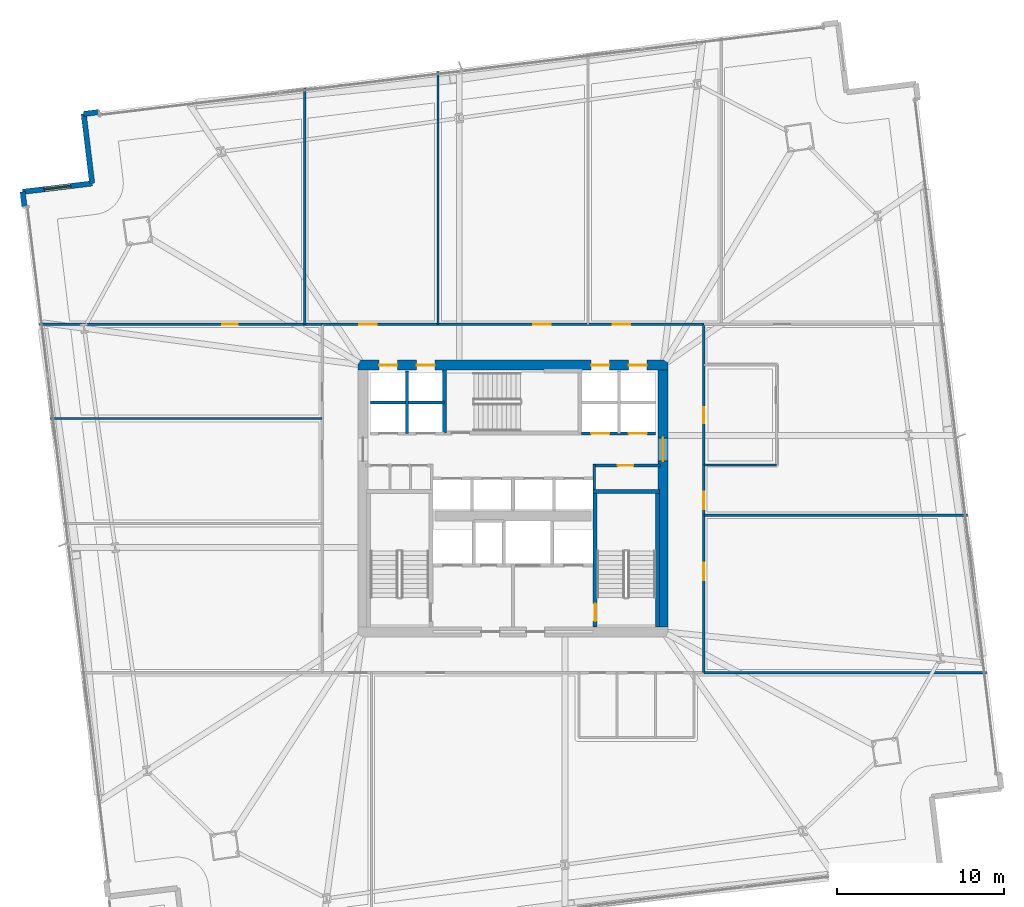
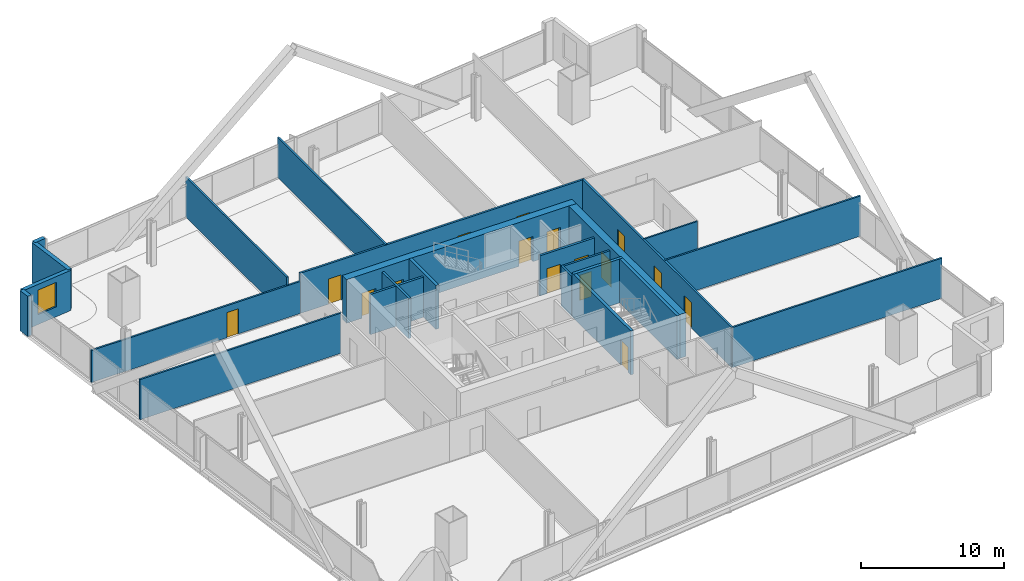
# One storey, part 27 of 33: 24 walls, 16 doors, 1 window, 17 openings.
"""IFC4 building model written with IfcOpenShell, lengths in metres."""

from ifc_helpers import new_model, si_unit, direction, frame, frame_2d, origin, place, context, subcontext, project, spatial, rectangle, extrude, material, layer, layer_set, type_object, element, fill, save


model = new_model("IFC4")

# Units and contexts
model_context = context("Model", 3, precision=1e-05, world=origin(), true_north=direction((0.0, 1.0)))
body_context = subcontext(model_context, "Body", "Model", "MODEL_VIEW")
ifc_project = project(units=[si_unit("LENGTHUNIT", "METRE"), si_unit("AREAUNIT", "SQUARE_METRE"), si_unit("VOLUMEUNIT", "CUBIC_METRE"), si_unit("PLANEANGLEUNIT", "RADIAN"), si_unit("MASSUNIT", "GRAM", prefix="KILO")], contexts=[model_context])

# Site, building, storey
site_placement = place(None, origin())
site = spatial("IfcSite", under=ifc_project, at=site_placement, CompositionType="ELEMENT")
building_placement = place(site_placement, origin())
building = spatial("IfcBuilding", under=site, at=building_placement, Name="Haldenkirk Collegiate Tower", CompositionType="ELEMENT")
storey_placement = place(building_placement, frame((0.0, 0.0, 51.449951171875)))
storey = spatial("IfcBuildingStorey", under=building, at=storey_placement, Name="L11", CompositionType="ELEMENT", Elevation=51.449951171875)

# Wall, openings, doors
ifc_material_1 = material(Name="Concrete f'c 70 MPa", Category="concrete")
ifc_layer_1 = layer(ifc_material_1, 0.60009765625)
ifc_layer_set_1 = layer_set([ifc_layer_1], Name="Concrete f'c 70 MPa")
wall_type_1 = type_object("IfcWallType", Name="WL-CORE-600", PredefinedType="SHEAR", material=ifc_layer_set_1)
wall_1_placement = place(storey_placement, frame((26.699951171875, 34.0, 0.0), z_axis=(0.0, 0.0, 1.0), x_axis=(1.0, 0.0, 0.0)))
wall_1 = element("IfcWall", 1, at=wall_1_placement, inside=storey, type_object=wall_type_1, Name="L11 central core shear wall N", PredefinedType="SHEAR", context=body_context, shape_type="SweptSolid", body=[
    extrude(rectangle(XDim=18.60009765625, YDim=0.60009765625, at=frame_2d((9.300048828125, 0.0))), origin(), (0.0, 0.0, 1.0), 3.75),
])
opening_1_placement = place(wall_1_placement, frame((1.264892578125, 0.0, 0.0)))
opening_1 = element("IfcOpeningElement", 2, at=opening_1_placement, cuts=wall_1, Name="Opening LD-11", PredefinedType="OPENING", context=body_context, shape_type="SweptSolid", body=[
    extrude(rectangle(XDim=1.10009765625, YDim=2.14990234375, at=frame_2d((0.550048828125, 1.074951171875))), frame((0.0, 0.31005859375, 0.0), z_axis=(0.0, -1.0, 0.0), x_axis=(1.0, 0.0, 0.0)), (0.0, 0.0, 1.0), 0.6201171875),
])
opening_2_placement = place(wall_1_placement, frame((3.514892578125, 0.0, 0.0)))
opening_2 = element("IfcOpeningElement", 3, at=opening_2_placement, cuts=wall_1, Name="Opening LD-11", PredefinedType="OPENING", context=body_context, shape_type="SweptSolid", body=[
    extrude(rectangle(XDim=1.10009765625, YDim=2.14990234375, at=frame_2d((0.550048828125, 1.074951171875))), frame((0.0, 0.31005859375, 0.0), z_axis=(0.0, -1.0, 0.0), x_axis=(1.0, 0.0, 0.0)), (0.0, 0.0, 1.0), 0.6201171875),
])
opening_3_placement = place(wall_1_placement, frame((13.985107421875, 0.0, 0.0)))
opening_3 = element("IfcOpeningElement", 4, at=opening_3_placement, cuts=wall_1, Name="Opening LD-11", PredefinedType="OPENING", context=body_context, shape_type="SweptSolid", body=[
    extrude(rectangle(XDim=1.10009765625, YDim=2.14990234375, at=frame_2d((0.550048828125, 1.074951171875))), frame((0.0, 0.31005859375, 0.0), z_axis=(0.0, -1.0, 0.0), x_axis=(1.0, 0.0, 0.0)), (0.0, 0.0, 1.0), 0.6201171875),
])
opening_4_placement = place(wall_1_placement, frame((16.235107421875, 0.0, 0.0)))
opening_4 = element("IfcOpeningElement", 5, at=opening_4_placement, cuts=wall_1, Name="Opening LD-11", PredefinedType="OPENING", context=body_context, shape_type="SweptSolid", body=[
    extrude(rectangle(XDim=1.10009765625, YDim=2.14990234375, at=frame_2d((0.550048828125, 1.074951171875))), frame((0.0, 0.31005859375, 0.0), z_axis=(0.0, -1.0, 0.0), x_axis=(1.0, 0.0, 0.0)), (0.0, 0.0, 1.0), 0.6201171875),
])
ifc_material_2 = material(Name="Brushed architectural stainless steel", Category="steel")
ifc_layer_2 = layer(ifc_material_2, 0.06005859375)
ifc_layer_set_2 = layer_set([ifc_layer_2], Name="Brushed architectural stainless steel")
door_type_1 = type_object("IfcDoorType", Name="LD-PASS-1100", OperationType="NOTDEFINED", PredefinedType="DOOR", material=ifc_layer_set_2)
door_1_placement = place(opening_1_placement, origin())
door_1 = element("IfcDoor", 6, at=door_1_placement, inside=storey, type_object=door_type_1, Name="L11 Elevator PL3 sliding landing door", OperationType="SLIDING_TO_LEFT", OverallHeight=2.14990234375, OverallWidth=1.10009765625, PredefinedType="DOOR", context=body_context, shape_type="SweptSolid", body=[
    extrude(rectangle(XDim=1.10009765625, YDim=2.14990234375, at=frame_2d((0.550048828125, 1.074951171875))), frame((0.0, 0.02490234375, 0.0), z_axis=(0.0, -1.0, 0.0), x_axis=(1.0, 0.0, 0.0)), (0.0, 0.0, 1.0), 0.050048828125),
])
fill(opening_1, door_1)
door_2_placement = place(opening_2_placement, origin())
door_2 = element("IfcDoor", 7, at=door_2_placement, inside=storey, type_object=door_type_1, Name="L11 Elevator PL4 sliding landing door", OperationType="SLIDING_TO_LEFT", OverallHeight=2.14990234375, OverallWidth=1.10009765625, PredefinedType="DOOR", context=body_context, shape_type="SweptSolid", body=[
    extrude(rectangle(XDim=1.10009765625, YDim=2.14990234375, at=frame_2d((0.550048828125, 1.074951171875))), frame((0.0, 0.02490234375, 0.0), z_axis=(0.0, -1.0, 0.0), x_axis=(1.0, 0.0, 0.0)), (0.0, 0.0, 1.0), 0.050048828125),
])
fill(opening_2, door_2)
door_3_placement = place(opening_3_placement, origin())
door_3 = element("IfcDoor", 8, at=door_3_placement, inside=storey, type_object=door_type_1, Name="L11 Elevator PM3 sliding landing door", OperationType="SLIDING_TO_LEFT", OverallHeight=2.14990234375, OverallWidth=1.10009765625, PredefinedType="DOOR", context=body_context, shape_type="SweptSolid", body=[
    extrude(rectangle(XDim=1.10009765625, YDim=2.14990234375, at=frame_2d((0.550048828125, 1.074951171875))), frame((0.0, 0.02490234375, 0.0), z_axis=(0.0, -1.0, 0.0), x_axis=(1.0, 0.0, 0.0)), (0.0, 0.0, 1.0), 0.050048828125),
])
fill(opening_3, door_3)
door_4_placement = place(opening_4_placement, origin())
door_4 = element("IfcDoor", 9, at=door_4_placement, inside=storey, type_object=door_type_1, Name="L11 Elevator PM4 sliding landing door", OperationType="SLIDING_TO_LEFT", OverallHeight=2.14990234375, OverallWidth=1.10009765625, PredefinedType="DOOR", context=body_context, shape_type="SweptSolid", body=[
    extrude(rectangle(XDim=1.10009765625, YDim=2.14990234375, at=frame_2d((0.550048828125, 1.074951171875))), frame((0.0, 0.02490234375, 0.0), z_axis=(0.0, -1.0, 0.0), x_axis=(1.0, 0.0, 0.0)), (0.0, 0.0, 1.0), 0.050048828125),
])
fill(opening_4, door_4)

# Wall, opening, door
wall_2_placement = place(storey_placement, frame((45.0, 18.300048828125, 0.0), z_axis=(0.0, 0.0, 1.0), x_axis=(0.0, 1.0, 0.0)))
wall_2 = element("IfcWall", 10, at=wall_2_placement, inside=storey, type_object=wall_type_1, Name="L11 central core shear wall E", PredefinedType="SHEAR", context=body_context, shape_type="SweptSolid", body=[
    extrude(rectangle(XDim=15.39990234375, YDim=0.60009765625, at=frame_2d((7.699951171875, 0.0))), origin(), (0.0, 0.0, 1.0), 3.75),
])
opening_5_placement = place(wall_2_placement, frame((9.93994140625, 0.0, 0.0)))
opening_5 = element("IfcOpeningElement", 11, at=opening_5_placement, cuts=wall_2, Name="Opening D-03", PredefinedType="OPENING", context=body_context, shape_type="SweptSolid", body=[
    extrude(rectangle(XDim=1.39990234375, YDim=2.199951171875, at=frame_2d((0.699951171875, 1.10009765625))), frame((0.0, 0.31005859375, 0.0), z_axis=(0.0, -1.0, 0.0), x_axis=(1.0, 0.0, 0.0)), (0.0, 0.0, 1.0), 0.6201171875),
])
ifc_material_3 = material(Name="Galvanized fire-rated hollow steel door", Category="steel")
ifc_layer_3 = layer(ifc_material_3, 0.06005859375)
ifc_layer_set_3 = layer_set([ifc_layer_3], Name="Galvanized fire-rated hollow steel door")
door_type_2 = type_object("IfcDoorType", Name="DR-LOBBY-FD90-1400", OperationType="NOTDEFINED", PredefinedType="DOOR", material=ifc_layer_set_3)
door_5_placement = place(opening_5_placement, origin())
door_5 = element("IfcDoor", 12, at=door_5_placement, inside=storey, type_object=door_type_2, Name="L11 east lift lobby portal", OperationType="DOUBLE_DOOR_SINGLE_SWING", OverallHeight=2.199951171875, OverallWidth=1.39990234375, PredefinedType="DOOR", context=body_context, shape_type="SweptSolid", body=[
    extrude(rectangle(XDim=1.39990234375, YDim=2.199951171875, at=frame_2d((0.699951171875, 1.10009765625))), frame((0.0, 0.02490234375, 0.0), z_axis=(0.0, -1.0, 0.0), x_axis=(1.0, 0.0, 0.0)), (0.0, 0.0, 1.0), 0.050048828125),
])
fill(opening_5, door_5)

# Walls
ifc_material_4 = material(Name="Precast concrete f'c 40 MPa", Category="concrete")
ifc_layer_4 = layer(ifc_material_4, 0.320068359375)
ifc_layer_set_4 = layer_set([ifc_layer_4], Name="Precast concrete f'c 40 MPa")
wall_type_2 = type_object("IfcWallType", Name="WL-EXT-TWR-320", PredefinedType="STANDARD", material=ifc_layer_set_4)
wall_3_placement = place(storey_placement, frame((10.24169921875, 49.072509765625, 0.0), z_axis=(0.0, 0.0, 1.0), x_axis=(0.992750468934, 0.12019362059, 0.0)))
element("IfcWall", 13, at=wall_3_placement, inside=storey, type_object=wall_type_2, Name="L11 precast corner pier NL", PredefinedType="STANDARD", context=body_context, shape_type="SweptSolid", body=[
    extrude(rectangle(XDim=0.89990234375, YDim=0.320068359375, at=frame_2d((0.449951171875, 0.0))), origin(), (0.0, 0.0, 1.0), 3.43994140625),
])
wall_4_placement = place(storey_placement, frame((10.74609375, 44.903076171875, 0.0), z_axis=(0.0, 0.0, 1.0), x_axis=(-0.120098734829, 0.992761952279, 0.0)))
element("IfcWall", 14, at=wall_4_placement, inside=storey, type_object=wall_type_2, Name="L11 bronze precast notch wall 08", PredefinedType="STANDARD", context=body_context, shape_type="SweptSolid", body=[
    extrude(rectangle(XDim=4.199951171875, YDim=0.320068359375, at=frame_2d((2.10009765625, 0.0))), origin(), (0.0, 0.0, 1.0), 3.43994140625),
])

# Wall, opening, window
wall_5_placement = place(storey_placement, frame((6.57666015625, 44.3984375, 0.0), z_axis=(0.0, 0.0, 1.0), x_axis=(0.992755019742, 0.120156026807, 0.0)))
wall_5 = element("IfcWall", 15, at=wall_5_placement, inside=storey, type_object=wall_type_2, Name="L11 bronze precast notch wall 09", PredefinedType="STANDARD", context=body_context, shape_type="SweptSolid", body=[
    extrude(rectangle(XDim=4.199951171875, YDim=0.320068359375, at=frame_2d((2.10009765625, 0.0))), origin(), (0.0, 0.0, 1.0), 3.43994140625),
])
opening_6_placement = place(wall_5_placement, frame((1.300048828125, 0.0, 0.85009765625)))
opening_6 = element("IfcOpeningElement", 16, at=opening_6_placement, cuts=wall_5, Name="Opening W-03", PredefinedType="OPENING", context=body_context, shape_type="SweptSolid", body=[
    extrude(rectangle(XDim=1.60009765625, YDim=2.10009765625, at=frame_2d((0.800048828125, 1.050048828125))), frame((0.0, 0.169921875, 0.0), z_axis=(0.0, -1.0, 0.0), x_axis=(1.0, 0.0, 0.0)), (0.0, 0.0, 1.0), 0.340087890625),
])
ifc_material_5 = material(Name="Low-E argon triple insulating glass", Category="glass")
ifc_layer_5 = layer(ifc_material_5, 0.090087890625)
ifc_layer_set_5 = layer_set([ifc_layer_5], Name="Low-E argon triple insulating glass")
window_type = type_object("IfcWindowType", Name="WN-Z1-1600X2100", PartitioningType="SINGLE_PANEL", PredefinedType="WINDOW", material=ifc_layer_set_5)
window_placement = place(opening_6_placement, origin())
window = element("IfcWindow", 17, at=window_placement, inside=storey, type_object=window_type, Name="L11 precast-frame academic window 8", OverallHeight=2.10009765625, OverallWidth=1.60009765625, PartitioningType="SINGLE_PANEL", PredefinedType="WINDOW", context=body_context, shape_type="SweptSolid", body=[
    extrude(rectangle(XDim=1.60009765625, YDim=2.10009765625, at=frame_2d((0.800048828125, 1.050048828125))), frame((0.0, 0.030029296875, 0.0), z_axis=(0.0, -1.0, 0.0), x_axis=(1.0, 0.0, 0.0)), (0.0, 0.0, 1.0), 0.06005859375),
])
fill(opening_6, window)

# Wall
wall_6_placement = place(storey_placement, frame((6.684814453125, 43.5048828125, 0.0), z_axis=(0.0, 0.0, 1.0), x_axis=(-0.120161255031, 0.99275438694, 0.0)))
element("IfcWall", 18, at=wall_6_placement, inside=storey, type_object=wall_type_2, Name="L11 precast corner pier WR", PredefinedType="STANDARD", context=body_context, shape_type="SweptSolid", body=[
    extrude(rectangle(XDim=0.900146484375, YDim=0.320068359375, at=frame_2d((0.4501953125, 0.0))), origin(), (0.0, 0.0, 1.0), 3.43994140625),
])

# Wall, opening, door
ifc_material_6 = material(Name="Acoustic fire-rated gypsum partition", Category="concrete")
ifc_layer_6 = layer(ifc_material_6, 0.159912109375)
ifc_layer_set_6 = layer_set([ifc_layer_6], Name="Acoustic fire-rated gypsum partition")
wall_type_3 = type_object("IfcWallType", Name="WL-INT-CORR-160", PredefinedType="PARTITIONING", material=ifc_layer_set_6)
wall_7_placement = place(storey_placement, frame((40.800048828125, 27.97998046875, 0.0), z_axis=(0.0, 0.0, 1.0), x_axis=(1.0, 0.0, 0.0)))
wall_7 = element("IfcWall", 19, at=wall_7_placement, inside=storey, type_object=wall_type_3, Name="L11 interior partition IW-L11-VCSE-N", PredefinedType="PARTITIONING", context=body_context, shape_type="SweptSolid", body=[
    extrude(rectangle(XDim=4.050048828125, YDim=0.159912109375, at=frame_2d((2.02490234375, 0.0))), origin(), (0.0, 0.0, 1.0), 3.43994140625),
])
opening_7_placement = place(wall_7_placement, frame((1.47509765625, 0.0, 0.0)))
opening_7 = element("IfcOpeningElement", 20, at=opening_7_placement, cuts=wall_7, Name="Opening D-10", PredefinedType="OPENING", context=body_context, shape_type="SweptSolid", body=[
    extrude(rectangle(XDim=0.949951171875, YDim=2.14990234375, at=frame_2d((0.47509765625, 1.074951171875))), frame((0.0, 0.08984375, 0.0), z_axis=(0.0, -1.0, 0.0), x_axis=(1.0, 0.0, 0.0)), (0.0, 0.0, 1.0), 0.179931640625),
])
ifc_material_7 = material(Name="Solid-core architectural oak fire door", Category="wood")
ifc_layer_7 = layer(ifc_material_7, 0.06005859375)
ifc_layer_set_7 = layer_set([ifc_layer_7], Name="Solid-core architectural oak fire door")
door_type_3 = type_object("IfcDoorType", Name="DR-INT-FD60-950", OperationType="NOTDEFINED", PredefinedType="DOOR", material=ifc_layer_set_7)
door_6_placement = place(opening_7_placement, origin())
door_6 = element("IfcDoor", 21, at=door_6_placement, inside=storey, type_object=door_type_3, Name="L11 core archive vault door", OperationType="SINGLE_SWING_LEFT", OverallHeight=2.14990234375, OverallWidth=0.949951171875, PredefinedType="DOOR", context=body_context, shape_type="SweptSolid", body=[
    extrude(rectangle(XDim=0.949951171875, YDim=2.14990234375, at=frame_2d((0.47509765625, 1.074951171875))), frame((0.0, 0.02490234375, 0.0), z_axis=(0.0, -1.0, 0.0), x_axis=(1.0, 0.0, 0.0)), (0.0, 0.0, 1.0), 0.050048828125),
])
fill(opening_7, door_6)

# Wall
wall_8_placement = place(storey_placement, frame((40.8798828125, 26.5400390625, 0.0), z_axis=(0.0, 0.0, 1.0), x_axis=(0.0, 1.0, 0.0)))
element("IfcWall", 22, at=wall_8_placement, inside=storey, type_object=wall_type_3, Name="L11 interior partition IW-L11-VCSE-W", PredefinedType="PARTITIONING", context=body_context, shape_type="SweptSolid", body=[
    extrude(rectangle(XDim=1.510009765625, YDim=0.159912109375, at=frame_2d((0.7548828125, 0.0))), origin(), (0.0, 0.0, 1.0), 3.43994140625),
])

# Wall, openings, doors
wall_9_placement = place(storey_placement, frame((24.5, 36.449951171875, 0.0), z_axis=(0.0, 0.0, 1.0), x_axis=(1.0, 0.0, 0.0)))
wall_9 = element("IfcWall", 23, at=wall_9_placement, inside=storey, type_object=wall_type_3, Name="L11 interior partition IW-L11-CN", PredefinedType="PARTITIONING", context=body_context, shape_type="SweptSolid", body=[
    extrude(rectangle(XDim=23.0, YDim=0.159912109375, at=frame_2d((11.5, 0.0))), origin(), (0.0, 0.0, 1.0), 3.43994140625),
])
opening_8_placement = place(wall_9_placement, frame((2.260986328125, 0.0, 0.0)))
opening_8 = element("IfcOpeningElement", 24, at=opening_8_placement, cuts=wall_9, Name="Opening D-09", PredefinedType="OPENING", context=body_context, shape_type="SweptSolid", body=[
    extrude(rectangle(XDim=1.050048828125, YDim=2.14990234375, at=frame_2d((0.52490234375, 1.074951171875))), frame((0.0, 0.08984375, 0.0), z_axis=(0.0, -1.0, 0.0), x_axis=(1.0, 0.0, 0.0)), (0.0, 0.0, 1.0), 0.179931640625),
])
opening_9_placement = place(wall_9_placement, frame((12.715087890625, 0.0, 0.0)))
opening_9 = element("IfcOpeningElement", 25, at=opening_9_placement, cuts=wall_9, Name="Opening D-09", PredefinedType="OPENING", context=body_context, shape_type="SweptSolid", body=[
    extrude(rectangle(XDim=1.050048828125, YDim=2.14990234375, at=frame_2d((0.52490234375, 1.074951171875))), frame((0.0, 0.08984375, 0.0), z_axis=(0.0, -1.0, 0.0), x_axis=(1.0, 0.0, 0.0)), (0.0, 0.0, 1.0), 0.179931640625),
])
opening_10_placement = place(wall_9_placement, frame((17.489013671875, 0.0, 0.0)))
opening_10 = element("IfcOpeningElement", 26, at=opening_10_placement, cuts=wall_9, Name="Opening D-09", PredefinedType="OPENING", context=body_context, shape_type="SweptSolid", body=[
    extrude(rectangle(XDim=1.050048828125, YDim=2.14990234375, at=frame_2d((0.52490234375, 1.074951171875))), frame((0.0, 0.08984375, 0.0), z_axis=(0.0, -1.0, 0.0), x_axis=(1.0, 0.0, 0.0)), (0.0, 0.0, 1.0), 0.179931640625),
])
ifc_layer_8 = layer(ifc_material_7, 0.06005859375)
ifc_layer_set_8 = layer_set([ifc_layer_8], Name="Solid-core architectural oak fire door")
door_type_4 = type_object("IfcDoorType", Name="DR-INT-FD60-1050", OperationType="NOTDEFINED", PredefinedType="DOOR", material=ifc_layer_set_8)
door_7_placement = place(opening_8_placement, origin())
door_7 = element("IfcDoor", 27, at=door_7_placement, inside=storey, type_object=door_type_4, Name="L11 Material Specimen Store 4 door", OperationType="SINGLE_SWING_RIGHT", OverallHeight=2.14990234375, OverallWidth=1.050048828125, PredefinedType="DOOR", context=body_context, shape_type="SweptSolid", body=[
    extrude(rectangle(XDim=1.050048828125, YDim=2.14990234375, at=frame_2d((0.52490234375, 1.074951171875))), frame((0.0, 0.02490234375, 0.0), z_axis=(0.0, -1.0, 0.0), x_axis=(1.0, 0.0, 0.0)), (0.0, 0.0, 1.0), 0.050048828125),
])
fill(opening_8, door_7)
door_8_placement = place(opening_9_placement, origin())
door_8 = element("IfcDoor", 28, at=door_8_placement, inside=storey, type_object=door_type_4, Name="L11 Departmental Archive 5 door", OperationType="SINGLE_SWING_LEFT", OverallHeight=2.14990234375, OverallWidth=1.050048828125, PredefinedType="DOOR", context=body_context, shape_type="SweptSolid", body=[
    extrude(rectangle(XDim=1.050048828125, YDim=2.14990234375, at=frame_2d((0.52490234375, 1.074951171875))), frame((0.0, 0.02490234375, 0.0), z_axis=(0.0, -1.0, 0.0), x_axis=(1.0, 0.0, 0.0)), (0.0, 0.0, 1.0), 0.050048828125),
])
fill(opening_9, door_8)
door_9_placement = place(opening_10_placement, origin())
door_9 = element("IfcDoor", 29, at=door_9_placement, inside=storey, type_object=door_type_4, Name="L11 Cleanroom Prep Store 6 door", OperationType="SINGLE_SWING_RIGHT", OverallHeight=2.14990234375, OverallWidth=1.050048828125, PredefinedType="DOOR", context=body_context, shape_type="SweptSolid", body=[
    extrude(rectangle(XDim=1.050048828125, YDim=2.14990234375, at=frame_2d((0.52490234375, 1.074951171875))), frame((0.0, 0.02490234375, 0.0), z_axis=(0.0, -1.0, 0.0), x_axis=(1.0, 0.0, 0.0)), (0.0, 0.0, 1.0), 0.050048828125),
])
fill(opening_10, door_9)

wall_10_placement = place(storey_placement, frame((47.449951171875, 15.550048828125, 0.0), z_axis=(0.0, 0.0, 1.0), x_axis=(0.0, 1.0, 0.0)))
wall_10 = element("IfcWall", 30, at=wall_10_placement, inside=storey, type_object=wall_type_3, Name="L11 interior partition IW-L11-CE", PredefinedType="PARTITIONING", context=body_context, shape_type="SweptSolid", body=[
    extrude(rectangle(XDim=20.89990234375, YDim=0.159912109375, at=frame_2d((10.449951171875, 0.0))), origin(), (0.0, 0.0, 1.0), 3.43994140625),
])
opening_11_placement = place(wall_10_placement, frame((14.97509765625, 0.0, 0.0)))
opening_11 = element("IfcOpeningElement", 31, at=opening_11_placement, cuts=wall_10, Name="Opening D-10", PredefinedType="OPENING", context=body_context, shape_type="SweptSolid", body=[
    extrude(rectangle(XDim=0.949951171875, YDim=2.14990234375, at=frame_2d((0.47509765625, 1.074951171875))), frame((0.0, 0.08984375, 0.0), z_axis=(0.0, -1.0, 0.0), x_axis=(1.0, 0.0, 0.0)), (0.0, 0.0, 1.0), 0.179931640625),
])
opening_12_placement = place(wall_10_placement, frame((5.5400390625, 0.0, 0.0)))
opening_12 = element("IfcOpeningElement", 32, at=opening_12_placement, cuts=wall_10, Name="Opening D-09", PredefinedType="OPENING", context=body_context, shape_type="SweptSolid", body=[
    extrude(rectangle(XDim=1.050048828125, YDim=2.14990234375, at=frame_2d((0.52490234375, 1.074951171875))), frame((0.0, 0.08984375, 0.0), z_axis=(0.0, -1.0, 0.0), x_axis=(1.0, 0.0, 0.0)), (0.0, 0.0, 1.0), 0.179931640625),
])
opening_13_placement = place(wall_10_placement, frame((9.791015625, 0.0, 0.0)))
opening_13 = element("IfcOpeningElement", 33, at=opening_13_placement, cuts=wall_10, Name="Opening D-09", PredefinedType="OPENING", context=body_context, shape_type="SweptSolid", body=[
    extrude(rectangle(XDim=1.050048828125, YDim=2.14990234375, at=frame_2d((0.52490234375, 1.074951171875))), frame((0.0, 0.08984375, 0.0), z_axis=(0.0, -1.0, 0.0), x_axis=(1.0, 0.0, 0.0)), (0.0, 0.0, 1.0), 0.179931640625),
])
door_10_placement = place(opening_12_placement, origin())
door_10 = element("IfcDoor", 34, at=door_10_placement, inside=storey, type_object=door_type_4, Name="L11 Departmental Archive 11 door", OperationType="SINGLE_SWING_LEFT", OverallHeight=2.14990234375, OverallWidth=1.050048828125, PredefinedType="DOOR", context=body_context, shape_type="SweptSolid", body=[
    extrude(rectangle(XDim=1.050048828125, YDim=2.14990234375, at=frame_2d((0.52490234375, 1.074951171875))), frame((0.0, 0.02490234375, 0.0), z_axis=(0.0, -1.0, 0.0), x_axis=(1.0, 0.0, 0.0)), (0.0, 0.0, 1.0), 0.050048828125),
])
fill(opening_12, door_10)
door_11_placement = place(opening_13_placement, origin())
door_11 = element("IfcDoor", 35, at=door_11_placement, inside=storey, type_object=door_type_4, Name="L11 Cleanroom Prep Store 12 door", OperationType="SINGLE_SWING_RIGHT", OverallHeight=2.14990234375, OverallWidth=1.050048828125, PredefinedType="DOOR", context=body_context, shape_type="SweptSolid", body=[
    extrude(rectangle(XDim=1.050048828125, YDim=2.14990234375, at=frame_2d((0.52490234375, 1.074951171875))), frame((0.0, 0.02490234375, 0.0), z_axis=(0.0, -1.0, 0.0), x_axis=(1.0, 0.0, 0.0)), (0.0, 0.0, 1.0), 0.050048828125),
])
fill(opening_13, door_11)
door_12_placement = place(opening_11_placement, origin())
door_12 = element("IfcDoor", 36, at=door_12_placement, inside=storey, type_object=door_type_3, Name="L11 East Graduate Study Pod corridor door", OperationType="SINGLE_SWING_LEFT", OverallHeight=2.14990234375, OverallWidth=0.949951171875, PredefinedType="DOOR", context=body_context, shape_type="SweptSolid", body=[
    extrude(rectangle(XDim=0.949951171875, YDim=2.14990234375, at=frame_2d((0.47509765625, 1.074951171875))), frame((0.0, 0.02490234375, 0.0), z_axis=(0.0, -1.0, 0.0), x_axis=(1.0, 0.0, 0.0)), (0.0, 0.0, 1.0), 0.050048828125),
])
fill(opening_11, door_12)

# Wall, opening, door
ifc_layer_9 = layer(ifc_material_6, 0.139892578125)
ifc_layer_set_9 = layer_set([ifc_layer_9], Name="Acoustic fire-rated gypsum partition")
wall_type_4 = type_object("IfcWallType", Name="WL-INT-DIV-140", PredefinedType="PARTITIONING", material=ifc_layer_set_9)
wall_11_placement = place(storey_placement, frame((7.57861328125, 36.449951171875, 0.0), z_axis=(0.0, 0.0, 1.0), x_axis=(1.0, 0.0, 0.0)))
wall_11 = element("IfcWall", 37, at=wall_11_placement, inside=storey, type_object=wall_type_4, Name="L11 interior partition IW-L11-BWN", PredefinedType="PARTITIONING", context=body_context, shape_type="SweptSolid", body=[
    extrude(rectangle(XDim=16.971435546875, YDim=0.139892578125, at=frame_2d((8.48583984375, 0.0))), origin(), (0.0, 0.0, 1.0), 2.739013671875),
])
opening_14_placement = place(wall_11_placement, frame((10.96728515625, 0.0, 0.0)))
opening_14 = element("IfcOpeningElement", 38, at=opening_14_placement, cuts=wall_11, Name="Opening D-12", PredefinedType="OPENING", context=body_context, shape_type="SweptSolid", body=[
    extrude(rectangle(XDim=0.949951171875, YDim=2.14990234375, at=frame_2d((0.47509765625, 1.074951171875))), frame((0.0, 0.079833984375, 0.0), z_axis=(0.0, -1.0, 0.0), x_axis=(1.0, 0.0, 0.0)), (0.0, 0.0, 1.0), 0.159912109375),
])
ifc_layer_10 = layer(ifc_material_7, 0.06005859375)
ifc_layer_set_10 = layer_set([ifc_layer_10], Name="Solid-core architectural oak fire door")
door_type_5 = type_object("IfcDoorType", Name="DR-INT-STD-950", OperationType="NOTDEFINED", PredefinedType="DOOR", material=ifc_layer_set_10)
door_13_placement = place(opening_14_placement, origin())
door_13 = element("IfcDoor", 39, at=door_13_placement, inside=storey, type_object=door_type_5, Name="L11 Instrument Store Room 3 door", OperationType="SINGLE_SWING_LEFT", OverallHeight=2.14990234375, OverallWidth=0.949951171875, PredefinedType="DOOR", context=body_context, shape_type="SweptSolid", body=[
    extrude(rectangle(XDim=0.949951171875, YDim=2.14990234375, at=frame_2d((0.47509765625, 1.074951171875))), frame((0.0, 0.02490234375, 0.0), z_axis=(0.0, -1.0, 0.0), x_axis=(1.0, 0.0, 0.0)), (0.0, 0.0, 1.0), 0.050048828125),
])
fill(opening_14, door_13)

# Walls
wall_12_placement = place(storey_placement, frame((47.449951171875, 15.550048828125, 0.0), z_axis=(0.0, 0.0, 1.0), x_axis=(1.0, 0.0, 0.0)))
element("IfcWall", 40, at=wall_12_placement, inside=storey, type_object=wall_type_4, Name="L11 interior partition IW-L11-BES", PredefinedType="PARTITIONING", context=body_context, shape_type="SweptSolid", body=[
    extrude(rectangle(XDim=16.971435546875, YDim=0.139892578125, at=frame_2d((8.48583984375, 0.0))), origin(), (0.0, 0.0, 1.0), 3.43994140625),
])
wall_13_placement = place(storey_placement, frame((23.5, 36.449951171875, 0.0), z_axis=(0.0, 0.0, 1.0), x_axis=(0.0, 1.0, 0.0)))
element("IfcWall", 41, at=wall_13_placement, inside=storey, type_object=wall_type_4, Name="L11 interior partition IW-L11-RN1", PredefinedType="PARTITIONING", context=body_context, shape_type="SweptSolid", body=[
    extrude(rectangle(XDim=14.186767578125, YDim=0.139892578125, at=frame_2d((7.09326171875, 0.0))), origin(), (0.0, 0.0, 1.0), 3.43994140625),
])
wall_14_placement = place(storey_placement, frame((31.5, 36.449951171875, 0.0), z_axis=(0.0, 0.0, 1.0), x_axis=(0.0, 1.0, 0.0)))
element("IfcWall", 42, at=wall_14_placement, inside=storey, type_object=wall_type_4, Name="L11 interior partition IW-L11-RN2", PredefinedType="PARTITIONING", context=body_context, shape_type="SweptSolid", body=[
    extrude(rectangle(XDim=15.15478515625, YDim=0.139892578125, at=frame_2d((7.577392578125, 0.0))), origin(), (0.0, 0.0, 1.0), 3.43994140625),
])
wall_15_placement = place(storey_placement, frame((8.262451171875, 30.800048828125, 0.0), z_axis=(0.0, 0.0, 1.0), x_axis=(1.0, 0.0, 0.0)))
element("IfcWall", 43, at=wall_15_placement, inside=storey, type_object=wall_type_4, Name="L11 interior partition IW-L11-RW2", PredefinedType="PARTITIONING", context=body_context, shape_type="SweptSolid", body=[
    extrude(rectangle(XDim=16.28759765625, YDim=0.139892578125, at=frame_2d((8.143798828125, 0.0))), origin(), (0.0, 0.0, 1.0), 3.43994140625),
])
wall_16_placement = place(storey_placement, frame((47.449951171875, 25.0, 0.0), z_axis=(0.0, 0.0, 1.0), x_axis=(1.0, 0.0, 0.0)))
element("IfcWall", 44, at=wall_16_placement, inside=storey, type_object=wall_type_4, Name="L11 interior partition IW-L11-RE1", PredefinedType="PARTITIONING", context=body_context, shape_type="SweptSolid", body=[
    extrude(rectangle(XDim=15.82763671875, YDim=0.139892578125, at=frame_2d((7.913818359375, 0.0))), origin(), (0.0, 0.0, 1.0), 3.43994140625),
])
ifc_material_8 = material(Name="Fire-rated gypsum shaftboard assembly", Category="concrete")
ifc_layer_11 = layer(ifc_material_8, 0.179931640625)
ifc_layer_set_11 = layer_set([ifc_layer_11], Name="Fire-rated gypsum shaftboard assembly")
wall_type_5 = type_object("IfcWallType", Name="WL-INT-SHAFT-180", PredefinedType="PARTITIONING", material=ifc_layer_set_11)
wall_17_placement = place(storey_placement, frame((27.449951171875, 31.75, 0.0), z_axis=(0.0, 0.0, 1.0), x_axis=(1.0, 0.0, 0.0)))
element("IfcWall", 45, at=wall_17_placement, inside=storey, type_object=wall_type_5, Name="L11 interior partition IW-L11-PLM", PredefinedType="PARTITIONING", context=body_context, shape_type="SweptSolid", body=[
    extrude(rectangle(XDim=4.429931640625, YDim=0.179931640625, at=frame_2d((2.21484375, 0.0))), origin(), (0.0, 0.0, 1.0), 3.43994140625),
])
wall_18_placement = place(storey_placement, frame((29.6298828125, 29.89990234375, 0.0), z_axis=(0.0, 0.0, 1.0), x_axis=(0.0, 1.0, 0.0)))
element("IfcWall", 46, at=wall_18_placement, inside=storey, type_object=wall_type_5, Name="L11 interior partition IW-L11-PLV", PredefinedType="PARTITIONING", context=body_context, shape_type="SweptSolid", body=[
    extrude(rectangle(XDim=3.75, YDim=0.179931640625, at=frame_2d((1.875, 0.0))), origin(), (0.0, 0.0, 1.0), 3.43994140625),
])

# Wall, openings, doors
wall_19_placement = place(storey_placement, frame((40.1201171875, 29.89990234375, 0.0), z_axis=(0.0, 0.0, 1.0), x_axis=(1.0, 0.0, 0.0)))
wall_19 = element("IfcWall", 47, at=wall_19_placement, inside=storey, type_object=wall_type_5, Name="L11 interior partition IW-L11-PMS", PredefinedType="PARTITIONING", context=body_context, shape_type="SweptSolid", body=[
    extrude(rectangle(XDim=4.429931640625, YDim=0.179931640625, at=frame_2d((2.21484375, 0.0))), origin(), (0.0, 0.0, 1.0), 3.43994140625),
])
opening_15_placement = place(wall_19_placement, frame((0.56494140625, 0.0, 0.0)))
opening_15 = element("IfcOpeningElement", 48, at=opening_15_placement, cuts=wall_19, Name="Opening LD-11", PredefinedType="OPENING", context=body_context, shape_type="SweptSolid", body=[
    extrude(rectangle(XDim=1.10009765625, YDim=2.14990234375, at=frame_2d((0.550048828125, 1.074951171875))), frame((0.0, 0.099853515625, 0.0), z_axis=(0.0, -1.0, 0.0), x_axis=(1.0, 0.0, 0.0)), (0.0, 0.0, 1.0), 0.199951171875),
])
opening_16_placement = place(wall_19_placement, frame((2.81494140625, 0.0, 0.0)))
opening_16 = element("IfcOpeningElement", 49, at=opening_16_placement, cuts=wall_19, Name="Opening LD-11", PredefinedType="OPENING", context=body_context, shape_type="SweptSolid", body=[
    extrude(rectangle(XDim=1.10009765625, YDim=2.14990234375, at=frame_2d((0.550048828125, 1.074951171875))), frame((0.0, 0.099853515625, 0.0), z_axis=(0.0, -1.0, 0.0), x_axis=(1.0, 0.0, 0.0)), (0.0, 0.0, 1.0), 0.199951171875),
])
door_14_placement = place(opening_15_placement, origin())
door_14 = element("IfcDoor", 50, at=door_14_placement, inside=storey, type_object=door_type_1, Name="L11 Elevator PM1 sliding landing door", OperationType="SLIDING_TO_LEFT", OverallHeight=2.14990234375, OverallWidth=1.10009765625, PredefinedType="DOOR", context=body_context, shape_type="SweptSolid", body=[
    extrude(rectangle(XDim=1.10009765625, YDim=2.14990234375, at=frame_2d((0.550048828125, 1.074951171875))), frame((0.0, 0.02490234375, 0.0), z_axis=(0.0, -1.0, 0.0), x_axis=(1.0, 0.0, 0.0)), (0.0, 0.0, 1.0), 0.050048828125),
])
fill(opening_15, door_14)
door_15_placement = place(opening_16_placement, origin())
door_15 = element("IfcDoor", 51, at=door_15_placement, inside=storey, type_object=door_type_1, Name="L11 Elevator PM2 sliding landing door", OperationType="SLIDING_TO_LEFT", OverallHeight=2.14990234375, OverallWidth=1.10009765625, PredefinedType="DOOR", context=body_context, shape_type="SweptSolid", body=[
    extrude(rectangle(XDim=1.10009765625, YDim=2.14990234375, at=frame_2d((0.550048828125, 1.074951171875))), frame((0.0, 0.02490234375, 0.0), z_axis=(0.0, -1.0, 0.0), x_axis=(1.0, 0.0, 0.0)), (0.0, 0.0, 1.0), 0.050048828125),
])
fill(opening_16, door_15)

# Wall
ifc_layer_12 = layer(ifc_material_6, 0.1201171875)
ifc_layer_set_12 = layer_set([ifc_layer_12], Name="Acoustic fire-rated gypsum partition")
wall_type_6 = type_object("IfcWallType", Name="WL-INT-WET-120", PredefinedType="PARTITIONING", material=ifc_layer_set_12)
wall_20_placement = place(storey_placement, frame((47.449951171875, 28.0, 0.0), z_axis=(0.0, 0.0, 1.0), x_axis=(1.0, 0.0, 0.0)))
element("IfcWall", 52, at=wall_20_placement, inside=storey, type_object=wall_type_6, Name="L11 interior partition IW-L11-SUBES", PredefinedType="PARTITIONING", context=body_context, shape_type="SweptSolid", body=[
    extrude(rectangle(XDim=4.35009765625, YDim=0.1201171875, at=frame_2d((2.175048828125, 0.0))), origin(), (0.0, 0.0, 1.0), 3.43994140625),
])

# Wall, opening, door
ifc_material_9 = material(Name="Concrete f'c 55 MPa", Category="concrete")
ifc_layer_13 = layer(ifc_material_9, 0.239990234375)
ifc_layer_set_13 = layer_set([ifc_layer_13], Name="Concrete f'c 55 MPa")
wall_type_7 = type_object("IfcWallType", Name="WL-SHAFT-240", PredefinedType="SHEAR", material=ifc_layer_set_13)
wall_21_placement = place(storey_placement, frame((40.929931640625, 18.280029296875, 0.0), z_axis=(0.0, 0.0, 1.0), x_axis=(0.0, 1.0, 0.0)))
wall_21 = element("IfcWall", 53, at=wall_21_placement, inside=storey, type_object=wall_type_7, Name="L11 stair shaft shear wall SW-L11-ST2W", PredefinedType="SHEAR", context=body_context, shape_type="SweptSolid", body=[
    extrude(rectangle(XDim=8.260009765625, YDim=0.239990234375, at=frame_2d((4.1298828125, 0.0))), origin(), (0.0, 0.0, 1.0), 3.75),
])
opening_17_placement = place(wall_21_placement, frame((0.364990234375, 0.0, 0.0)))
opening_17 = element("IfcOpeningElement", 54, at=opening_17_placement, cuts=wall_21, Name="Opening D-01", PredefinedType="OPENING", context=body_context, shape_type="SweptSolid", body=[
    extrude(rectangle(XDim=1.050048828125, YDim=2.14990234375, at=frame_2d((0.52490234375, 1.074951171875))), frame((0.0, 0.1298828125, 0.0), z_axis=(0.0, -1.0, 0.0), x_axis=(1.0, 0.0, 0.0)), (0.0, 0.0, 1.0), 0.260009765625),
])
ifc_layer_14 = layer(ifc_material_3, 0.06005859375)
ifc_layer_set_14 = layer_set([ifc_layer_14], Name="Galvanized fire-rated hollow steel door")
door_type_6 = type_object("IfcDoorType", Name="DR-STAIR-FD90-1050", OperationType="NOTDEFINED", PredefinedType="DOOR", material=ifc_layer_set_14)
door_16_placement = place(opening_17_placement, origin())
door_16 = element("IfcDoor", 55, at=door_16_placement, inside=storey, type_object=door_type_6, Name="L11 Stair 2 door", OperationType="SINGLE_SWING_RIGHT", OverallHeight=2.14990234375, OverallWidth=1.050048828125, PredefinedType="DOOR", context=body_context, shape_type="SweptSolid", body=[
    extrude(rectangle(XDim=1.050048828125, YDim=2.14990234375, at=frame_2d((0.52490234375, 1.074951171875))), frame((0.0, 0.02490234375, 0.0), z_axis=(0.0, -1.0, 0.0), x_axis=(1.0, 0.0, 0.0)), (0.0, 0.0, 1.0), 0.050048828125),
])
fill(opening_17, door_16)

# Walls
wall_22_placement = place(storey_placement, frame((40.81005859375, 26.419921875, 0.0), z_axis=(0.0, 0.0, 1.0), x_axis=(1.0, 0.0, 0.0)))
element("IfcWall", 56, at=wall_22_placement, inside=storey, type_object=wall_type_7, Name="L11 stair shaft shear wall SW-L11-ST2N", PredefinedType="SHEAR", context=body_context, shape_type="SweptSolid", body=[
    extrude(rectangle(XDim=3.97998046875, YDim=0.239990234375, at=frame_2d((1.989990234375, 0.0))), origin(), (0.0, 0.0, 1.0), 3.75),
])
wall_23_placement = place(storey_placement, frame((44.669921875, 18.280029296875, 0.0), z_axis=(0.0, 0.0, 1.0), x_axis=(0.0, 1.0, 0.0)))
element("IfcWall", 57, at=wall_23_placement, inside=storey, type_object=wall_type_7, Name="L11 stair shaft shear wall SW-L11-ST2E", PredefinedType="SHEAR", context=body_context, shape_type="SweptSolid", body=[
    extrude(rectangle(XDim=8.260009765625, YDim=0.239990234375, at=frame_2d((4.1298828125, 0.0))), origin(), (0.0, 0.0, 1.0), 3.75),
])
wall_24_placement = place(storey_placement, frame((31.8798828125, 29.929931640625, 0.0), z_axis=(0.0, 0.0, 1.0), x_axis=(0.0, 1.0, 0.0)))
element("IfcWall", 58, at=wall_24_placement, inside=storey, type_object=wall_type_7, Name="L11 stair shaft shear wall SW-L11-ST3W", PredefinedType="SHEAR", context=body_context, shape_type="SweptSolid", body=[
    extrude(rectangle(XDim=3.7900390625, YDim=0.239990234375, at=frame_2d((1.89501953125, 0.0))), origin(), (0.0, 0.0, 1.0), 3.75),
])

save(model, "model.ifc")
